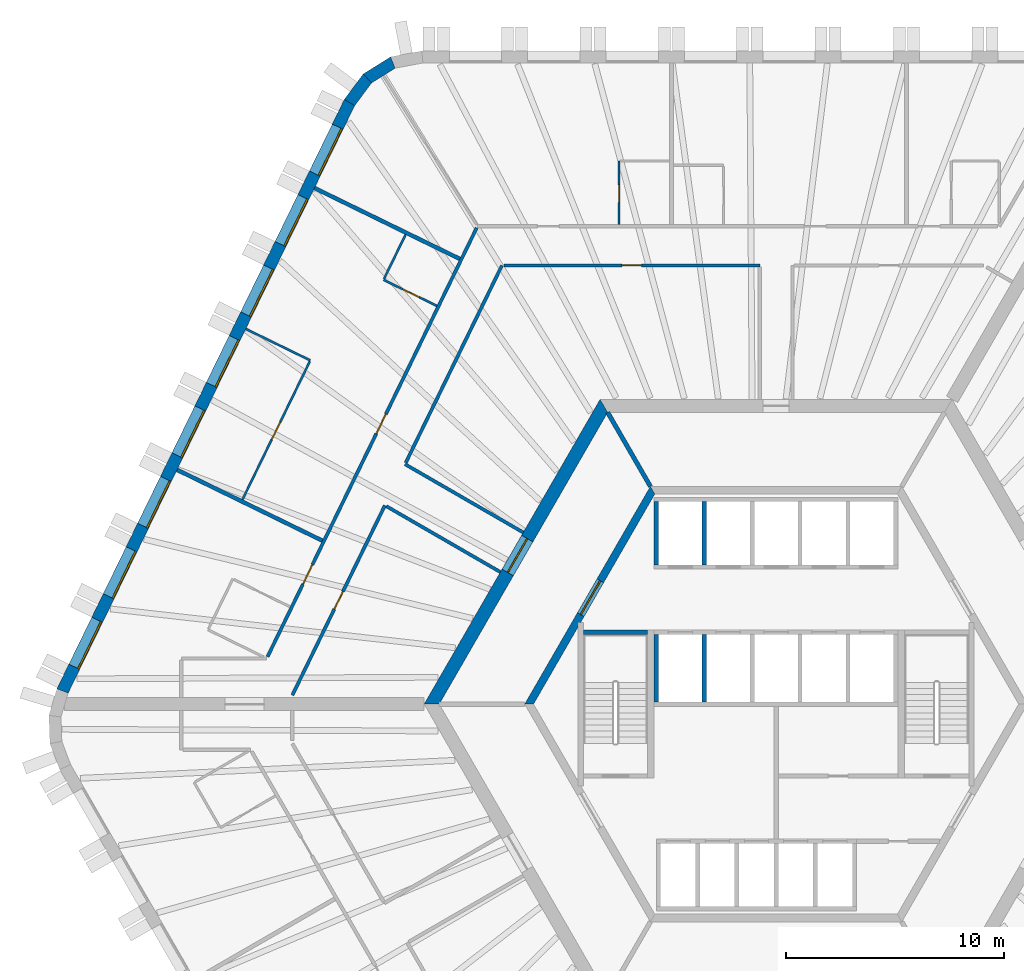
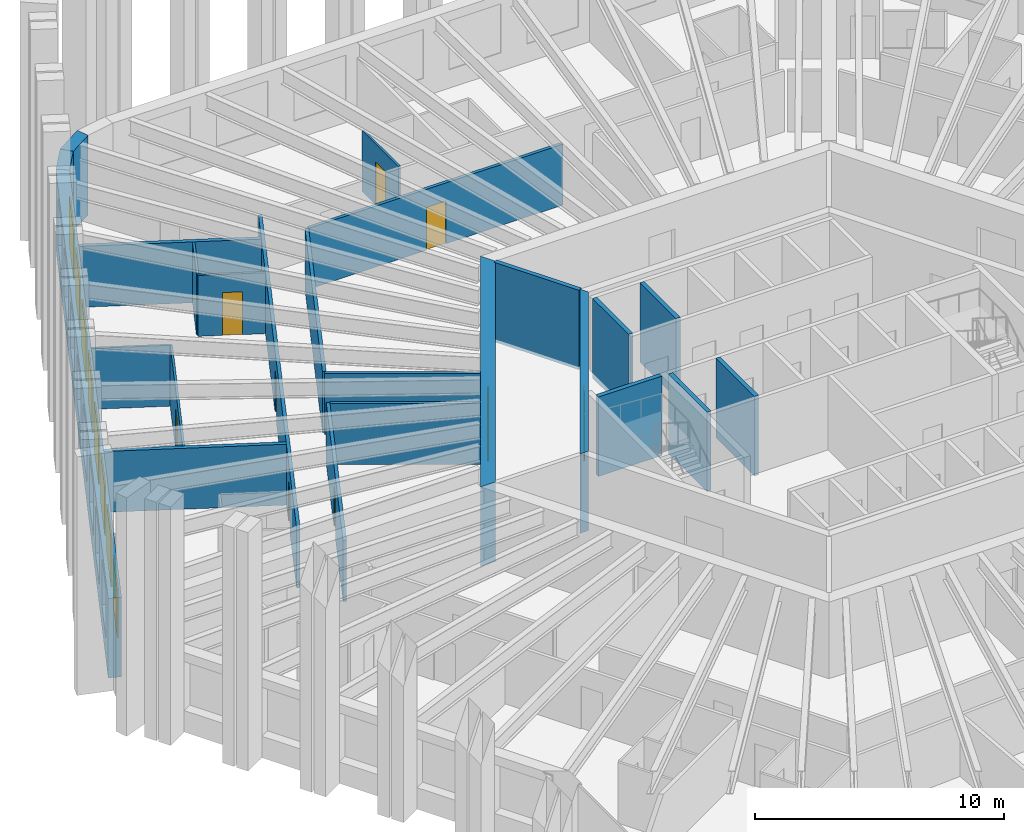
# One storey, part 7 of 12: 24 walls, 9 doors, 8 windows, 17 openings.
"""IFC4 building model written with IfcOpenShell, lengths in metres."""

from ifc_helpers import new_model, si_unit, direction, frame, frame_2d, origin, place, context, subcontext, project, spatial, polyline, rectangle, outline, extrude, material, layer, layer_set, type_object, element, fill, save


model = new_model("IFC4")

# Units and contexts
model_context = context("Model", 3, precision=1e-05, world=origin(), true_north=direction((0.0, 1.0)))
body_context = subcontext(model_context, "Body", "Model", "MODEL_VIEW")
ifc_project = project(units=[si_unit("LENGTHUNIT", "METRE"), si_unit("AREAUNIT", "SQUARE_METRE"), si_unit("VOLUMEUNIT", "CUBIC_METRE"), si_unit("PLANEANGLEUNIT", "RADIAN"), si_unit("MASSUNIT", "GRAM", prefix="KILO")], contexts=[model_context])

# Site, building, storey
site_placement = place(None, origin())
site = spatial("IfcSite", under=ifc_project, at=site_placement, CompositionType="ELEMENT")
building_placement = place(site_placement, origin())
building = spatial("IfcBuilding", under=site, at=building_placement, Name="Tarnside Tower", CompositionType="ELEMENT")
storey_placement = place(building_placement, frame((0.0, 0.0, 37.5)))
storey = spatial("IfcBuildingStorey", under=building, at=storey_placement, Name="L06", CompositionType="ELEMENT", Elevation=37.5)

# Wall, opening, door
ifc_material_1 = material(Name="Gypsum board partition on steel studs", Category="steel")
ifc_layer_1 = layer(ifc_material_1, 0.10009765625)
ifc_layer_set_1 = layer_set([ifc_layer_1], Name="Bathroom wall 100")
wall_type_1 = type_object("IfcWallType", Name="Bathroom wall 100", PredefinedType="PARTITIONING", material=ifc_layer_set_1)
wall_1_placement = place(storey_placement, frame((-7.2109375, 22.02490234375, 0.0), z_axis=(0.0, 0.0, 1.0), x_axis=(0.0, 1.0, 0.0)))
wall_1 = element("IfcWall", 1, at=wall_1_placement, inside=storey, type_object=wall_type_1, Name="Bathroom wall 01086", PredefinedType="PARTITIONING", context=body_context, shape_type="SweptSolid", body=[
    extrude(rectangle(XDim=2.925048828125, YDim=0.10009765625, at=frame_2d((1.46240234375, 0.0))), origin(), (0.0, 0.0, 1.0), 2.98779296875),
])
opening_1_placement = place(wall_1_placement, frame((1.02490234375, 0.0, 0.0)))
opening_1 = element("IfcOpeningElement", 2, at=opening_1_placement, cuts=wall_1, Name="Opening D-B1", PredefinedType="OPENING", context=body_context, shape_type="SweptSolid", body=[
    extrude(rectangle(XDim=0.800048828125, YDim=2.10009765625, at=frame_2d((0.39990234375, 1.050048828125))), frame((0.0, 0.06005859375, 0.0), z_axis=(0.0, -1.0, 0.0), x_axis=(1.0, 0.0, 0.0)), (0.0, 0.0, 1.0), 0.1201171875),
])
ifc_material_2 = material(Name="Timber door leaf", Category="wood")
door_type_1 = type_object("IfcDoorType", Name="Bathroom door 800", OperationType="NOTDEFINED", PredefinedType="DOOR", material=ifc_material_2)
door_1_placement = place(opening_1_placement, origin())
door_1 = element("IfcDoor", 3, at=door_1_placement, inside=storey, type_object=door_type_1, Name="Bathroom door 01006", OperationType="SINGLE_SWING_RIGHT", OverallHeight=2.10009765625, OverallWidth=0.800048828125, PredefinedType="DOOR", context=body_context, shape_type="SweptSolid", body=[
    extrude(rectangle(XDim=0.800048828125, YDim=2.10009765625, at=frame_2d((0.39990234375, 1.050048828125))), frame((0.0, 0.02490234375, 0.0), z_axis=(0.0, -1.0, 0.0), x_axis=(1.0, 0.0, 0.0)), (0.0, 0.0, 1.0), 0.050048828125),
])
fill(opening_1, door_1)

wall_2_placement = place(storey_placement, frame((-15.582763671875, 18.29345703125, 0.0), z_axis=(0.0, 0.0, 1.0), x_axis=(-0.898791692788, 0.43837597217, 0.0)))
wall_2 = element("IfcWall", 4, at=wall_2_placement, inside=storey, type_object=wall_type_1, Name="Bathroom wall 01091", PredefinedType="PARTITIONING", context=body_context, shape_type="SweptSolid", body=[
    extrude(rectangle(XDim=2.72509765625, YDim=0.10009765625, at=frame_2d((1.362548828125, 0.0))), origin(), (0.0, 0.0, 1.0), 2.98779296875),
])
opening_2_placement = place(wall_2_placement, frame((0.925048828125, 0.0, 0.0)))
opening_2 = element("IfcOpeningElement", 5, at=opening_2_placement, cuts=wall_2, Name="Opening D-B1", PredefinedType="OPENING", context=body_context, shape_type="SweptSolid", body=[
    extrude(rectangle(XDim=0.800048828125, YDim=2.10009765625, at=frame_2d((0.39990234375, 1.050048828125))), frame((0.0, 0.06005859375, 0.0), z_axis=(0.0, -1.0, 0.0), x_axis=(1.0, 0.0, 0.0)), (0.0, 0.0, 1.0), 0.1201171875),
])
door_2_placement = place(opening_2_placement, origin())
door_2 = element("IfcDoor", 6, at=door_2_placement, inside=storey, type_object=door_type_1, Name="Bathroom door 01009", OperationType="SINGLE_SWING_RIGHT", OverallHeight=2.10009765625, OverallWidth=0.800048828125, PredefinedType="DOOR", context=body_context, shape_type="SweptSolid", body=[
    extrude(rectangle(XDim=0.800048828125, YDim=2.10009765625, at=frame_2d((0.39990234375, 1.050048828125))), frame((0.0, 0.02490234375, 0.0), z_axis=(0.0, -1.0, 0.0), x_axis=(1.0, 0.0, 0.0)), (0.0, 0.0, 1.0), 0.050048828125),
])
fill(opening_2, door_2)

# Wall
wall_3_placement = place(storey_placement, frame((-18.010009765625, 19.532958984375, 0.0), z_axis=(0.0, 0.0, 1.0), x_axis=(0.438376807268, 0.898791285477, 0.0)))
element("IfcWall", 7, at=wall_3_placement, inside=storey, type_object=wall_type_1, Name="Bathroom wall 01092", PredefinedType="PARTITIONING", context=body_context, shape_type="SweptSolid", body=[
    extrude(rectangle(XDim=2.260009765625, YDim=0.10009765625, at=frame_2d((1.1298828125, 0.0))), origin(), (0.0, 0.0, 1.0), 2.98779296875),
])

# Wall, opening, door
ifc_material_3 = material(Name="Concrete C50/60", Category="concrete")
ifc_layer_2 = layer(ifc_material_3, 0.35009765625)
ifc_layer_set_2 = layer_set([ifc_layer_2], Name="Core block wall 350 C50/60")
wall_type_2 = type_object("IfcWallType", Name="Core block wall 350 C50/60", PredefinedType="SHEAR", material=ifc_layer_set_2)
wall_4_placement = place(storey_placement, frame((-5.672607421875, 9.824951171875, -0.14990234375), z_axis=(0.0, 0.0, 1.0), x_axis=(-0.499995046907, -0.866028263435, 0.0)))
wall_4 = element("IfcWall", 8, at=wall_4_placement, inside=storey, type_object=wall_type_2, Name="L06 core block wall face 2", PredefinedType="SHEAR", context=body_context, shape_type="SweptSolid", body=[
    extrude(outline(polyline([(-0.10107421875, -0.175048828125), (11.44580078125, -0.175048828125), (11.24365234375, 0.175048828125), (0.10107421875, 0.175048828125), (-0.10107421875, -0.175048828125)])), origin(), (0.0, 0.0, 1.0), 3.89990234375),
])
opening_3_placement = place(wall_4_placement, frame((4.80126953125, 0.0, 0.14990234375)))
opening_3 = element("IfcOpeningElement", 9, at=opening_3_placement, cuts=wall_4, Name="Opening CD-LOB", PredefinedType="OPENING", context=body_context, shape_type="SweptSolid", body=[
    extrude(rectangle(XDim=1.800048828125, YDim=2.39990234375, at=frame_2d((0.89990234375, 1.199951171875))), frame((0.0, 0.18505859375, 0.0), z_axis=(0.0, -1.0, 0.0), x_axis=(1.0, 0.0, 0.0)), (0.0, 0.0, 1.0), 0.3701171875),
])
ifc_material_4 = material(Name="Steel fire door", Category="steel")
door_type_2 = type_object("IfcDoorType", Name="Lobby double door FD30S 1800x2400", OperationType="NOTDEFINED", PredefinedType="DOOR", material=ifc_material_4)
door_3_placement = place(opening_3_placement, origin())
door_3 = element("IfcDoor", 10, at=door_3_placement, inside=storey, type_object=door_type_2, Name="L06 lobby block door P1", OperationType="DOUBLE_DOOR_SINGLE_SWING", OverallHeight=2.39990234375, OverallWidth=1.800048828125, PredefinedType="DOOR", context=body_context, shape_type="SweptSolid", body=[
    extrude(rectangle(XDim=1.800048828125, YDim=2.39990234375, at=frame_2d((0.89990234375, 1.199951171875))), frame((0.0, 0.02490234375, 0.0), z_axis=(0.0, -1.0, 0.0), x_axis=(1.0, 0.0, 0.0)), (0.0, 0.0, 1.0), 0.050048828125),
])
fill(opening_3, door_3)

ifc_material_5 = material(Name="Concrete C80/95", Category="concrete")
ifc_layer_3 = layer(ifc_material_5, 0.60009765625)
ifc_layer_set_3 = layer_set([ifc_layer_3], Name="Core wall Z1 600 C80/95")
wall_type_3 = type_object("IfcWallType", Name="Core wall Z1 600 C80/95", PredefinedType="SHEAR", material=ifc_layer_set_3)
wall_5_placement = place(storey_placement, frame((-7.90966796875, 13.699951171875, -0.14990234375), z_axis=(0.0, 0.0, 1.0), x_axis=(-0.499999880136, -0.866025472988, 0.0)))
wall_5 = element("IfcWall", 11, at=wall_5_placement, inside=storey, type_object=wall_type_3, Name="L06 core wall face 2", PredefinedType="SHEAR", context=body_context, shape_type="SweptSolid", body=[
    extrude(outline(polyline([(-0.17333984375, -0.300048828125), (15.99267578125, -0.300048828125), (15.64599609375, 0.300048828125), (0.17333984375, 0.300048828125), (-0.17333984375, -0.300048828125)])), origin(), (0.0, 0.0, 1.0), 3.89990234375),
])
opening_4_placement = place(wall_5_placement, frame((7.03857421875, 0.0, 0.14990234375)))
opening_4 = element("IfcOpeningElement", 12, at=opening_4_placement, cuts=wall_5, Name="Opening CD-LOB", PredefinedType="OPENING", context=body_context, shape_type="SweptSolid", body=[
    extrude(rectangle(XDim=1.800048828125, YDim=2.39990234375, at=frame_2d((0.89990234375, 1.199951171875))), frame((0.0, 0.31005859375, 0.0), z_axis=(0.0, -1.0, 0.0), x_axis=(1.0, 0.0, 0.0)), (0.0, 0.0, 1.0), 0.6201171875),
])
door_4_placement = place(opening_4_placement, origin())
door_4 = element("IfcDoor", 13, at=door_4_placement, inside=storey, type_object=door_type_2, Name="L06 core door P1", OperationType="DOUBLE_DOOR_SINGLE_SWING", OverallHeight=2.39990234375, OverallWidth=1.800048828125, PredefinedType="DOOR", context=body_context, shape_type="SweptSolid", body=[
    extrude(rectangle(XDim=1.800048828125, YDim=2.39990234375, at=frame_2d((0.89990234375, 1.199951171875))), frame((0.0, 0.02490234375, 0.0), z_axis=(0.0, -1.0, 0.0), x_axis=(1.0, 0.0, 0.0)), (0.0, 0.0, 1.0), 0.050048828125),
])
fill(opening_4, door_4)

# Wall, openings, doors
ifc_layer_4 = layer(ifc_material_1, 0.14990234375)
ifc_layer_set_4 = layer_set([ifc_layer_4], Name="Corridor wall 150 EI 60")
wall_type_4 = type_object("IfcWallType", Name="Corridor wall 150 EI 60", PredefinedType="PARTITIONING", material=ifc_layer_set_4)
wall_6_placement = place(storey_placement, frame((-13.75244140625, 21.875, 0.0), z_axis=(0.0, 0.0, 1.0), x_axis=(-0.438374473378, -0.898792423806, 0.0)))
wall_6 = element("IfcWall", 14, at=wall_6_placement, inside=storey, type_object=wall_type_4, Name="Corridor wall 01009", PredefinedType="PARTITIONING", context=body_context, shape_type="SweptSolid", body=[
    extrude(rectangle(XDim=21.918212890625, YDim=0.14990234375, at=frame_2d((10.958984375, 0.0))), origin(), (0.0, 0.0, 1.0), 2.98779296875),
])
opening_5_placement = place(wall_6_placement, frame((9.521240234375, 0.0, 0.0)))
opening_5 = element("IfcOpeningElement", 15, at=opening_5_placement, cuts=wall_6, Name="Opening D-E1", PredefinedType="OPENING", context=body_context, shape_type="SweptSolid", body=[
    extrude(rectangle(XDim=1.0, YDim=2.10009765625, at=frame_2d((0.5, 1.050048828125))), frame((0.0, 0.0849609375, 0.0), z_axis=(0.0, -1.0, 0.0), x_axis=(1.0, 0.0, 0.0)), (0.0, 0.0, 1.0), 0.169921875),
])
opening_6_placement = place(wall_6_placement, frame((17.21142578125, 0.0, 0.0)))
opening_6 = element("IfcOpeningElement", 16, at=opening_6_placement, cuts=wall_6, Name="Opening D-E1", PredefinedType="OPENING", context=body_context, shape_type="SweptSolid", body=[
    extrude(rectangle(XDim=1.0, YDim=2.10009765625, at=frame_2d((0.5, 1.050048828125))), frame((0.0, 0.0849609375, 0.0), z_axis=(0.0, -1.0, 0.0), x_axis=(1.0, 0.0, 0.0)), (0.0, 0.0, 1.0), 0.169921875),
])
door_type_3 = type_object("IfcDoorType", Name="Unit entrance door 1000 FD30S", OperationType="NOTDEFINED", PredefinedType="DOOR", material=ifc_material_2)
door_5_placement = place(opening_5_placement, origin())
door_5 = element("IfcDoor", 17, at=door_5_placement, inside=storey, type_object=door_type_3, Name="Unit door 01008", OperationType="SINGLE_SWING_LEFT", OverallHeight=2.10009765625, OverallWidth=1.0, PredefinedType="DOOR", context=body_context, shape_type="SweptSolid", body=[
    extrude(rectangle(XDim=1.0, YDim=2.10009765625, at=frame_2d((0.5, 1.050048828125))), frame((0.0, 0.02490234375, 0.0), z_axis=(0.0, -1.0, 0.0), x_axis=(1.0, 0.0, 0.0)), (0.0, 0.0, 1.0), 0.050048828125),
])
fill(opening_5, door_5)
door_6_placement = place(opening_6_placement, origin())
door_6 = element("IfcDoor", 18, at=door_6_placement, inside=storey, type_object=door_type_3, Name="Unit door 01011", OperationType="SINGLE_SWING_LEFT", OverallHeight=2.10009765625, OverallWidth=1.0, PredefinedType="DOOR", context=body_context, shape_type="SweptSolid", body=[
    extrude(rectangle(XDim=1.0, YDim=2.10009765625, at=frame_2d((0.5, 1.050048828125))), frame((0.0, 0.02490234375, 0.0), z_axis=(0.0, -1.0, 0.0), x_axis=(1.0, 0.0, 0.0)), (0.0, 0.0, 1.0), 0.050048828125),
])
fill(opening_6, door_6)

# Walls
wall_7_placement = place(storey_placement, frame((-11.61376953125, 7.88427734375, 0.0), z_axis=(0.0, 0.0, 1.0), x_axis=(-0.866025438137, 0.4999999405, 0.0)))
element("IfcWall", 19, at=wall_7_placement, inside=storey, type_object=wall_type_4, Name="Corridor wall 01016", PredefinedType="PARTITIONING", context=body_context, shape_type="SweptSolid", body=[
    extrude(rectangle(XDim=6.2705078125, YDim=0.14990234375, at=frame_2d((3.13525390625, 0.0))), origin(), (0.0, 0.0, 1.0), 2.98779296875),
])
wall_8_placement = place(storey_placement, frame((-17.01123046875, 11.087158203125, 0.0), z_axis=(0.0, 0.0, 1.0), x_axis=(0.43836877185, 0.898795204631, 0.0)))
element("IfcWall", 20, at=wall_8_placement, inside=storey, type_object=wall_type_4, Name="Corridor wall 01017", PredefinedType="PARTITIONING", context=body_context, shape_type="SweptSolid", body=[
    extrude(rectangle(XDim=10.083251953125, YDim=0.14990234375, at=frame_2d((5.04150390625, 0.0))), origin(), (0.0, 0.0, 1.0), 2.98779296875),
])

# Wall, opening, door
wall_9_placement = place(storey_placement, frame((-12.507568359375, 20.14990234375, 0.0), z_axis=(0.0, 0.0, 1.0), x_axis=(1.0, 0.0, 0.0)))
wall_9 = element("IfcWall", 21, at=wall_9_placement, inside=storey, type_object=wall_type_4, Name="Corridor wall 01018", PredefinedType="PARTITIONING", context=body_context, shape_type="SweptSolid", body=[
    extrude(rectangle(XDim=11.757568359375, YDim=0.14990234375, at=frame_2d((5.87890625, 0.0))), origin(), (0.0, 0.0, 1.0), 2.98779296875),
])
opening_7_placement = place(wall_9_placement, frame((5.428955078125, 0.0, 0.0)))
opening_7 = element("IfcOpeningElement", 22, at=opening_7_placement, cuts=wall_9, Name="Opening D-S1", PredefinedType="OPENING", context=body_context, shape_type="SweptSolid", body=[
    extrude(rectangle(XDim=0.89990234375, YDim=2.10009765625, at=frame_2d((0.449951171875, 1.050048828125))), frame((0.0, 0.0849609375, 0.0), z_axis=(0.0, -1.0, 0.0), x_axis=(1.0, 0.0, 0.0)), (0.0, 0.0, 1.0), 0.169921875),
])
door_type_4 = type_object("IfcDoorType", Name="Service room door 900 FD30S", OperationType="NOTDEFINED", PredefinedType="DOOR", material=ifc_material_2)
door_7_placement = place(opening_7_placement, origin())
door_7 = element("IfcDoor", 23, at=door_7_placement, inside=storey, type_object=door_type_4, Name="Service door 01042", OperationType="SINGLE_SWING_RIGHT", OverallHeight=2.10009765625, OverallWidth=0.89990234375, PredefinedType="DOOR", context=body_context, shape_type="SweptSolid", body=[
    extrude(rectangle(XDim=0.89990234375, YDim=2.10009765625, at=frame_2d((0.449951171875, 1.050048828125))), frame((0.0, 0.02490234375, 0.0), z_axis=(0.0, -1.0, 0.0), x_axis=(1.0, 0.0, 0.0)), (0.0, 0.0, 1.0), 0.050048828125),
])
fill(opening_7, door_7)

wall_10_placement = place(storey_placement, frame((-22.218994140625, 0.41015625, 0.0), z_axis=(0.0, 0.0, 1.0), x_axis=(0.438391891827, 0.898783927972, 0.0)))
wall_10 = element("IfcWall", 24, at=wall_10_placement, inside=storey, type_object=wall_type_4, Name="Corridor wall 01023", PredefinedType="PARTITIONING", context=body_context, shape_type="SweptSolid", body=[
    extrude(rectangle(XDim=9.698974609375, YDim=0.14990234375, at=frame_2d((4.849609375, 0.0))), origin(), (0.0, 0.0, 1.0), 2.98779296875),
])
opening_8_placement = place(wall_10_placement, frame((4.399658203125, 0.0, 0.0)))
opening_8 = element("IfcOpeningElement", 25, at=opening_8_placement, cuts=wall_10, Name="Opening D-S1", PredefinedType="OPENING", context=body_context, shape_type="SweptSolid", body=[
    extrude(rectangle(XDim=0.89990234375, YDim=2.10009765625, at=frame_2d((0.449951171875, 1.050048828125))), frame((0.0, 0.0849609375, 0.0), z_axis=(0.0, -1.0, 0.0), x_axis=(1.0, 0.0, 0.0)), (0.0, 0.0, 1.0), 0.169921875),
])
door_8_placement = place(opening_8_placement, origin())
door_8 = element("IfcDoor", 26, at=door_8_placement, inside=storey, type_object=door_type_4, Name="Service door 01044", OperationType="SINGLE_SWING_LEFT", OverallHeight=2.10009765625, OverallWidth=0.89990234375, PredefinedType="DOOR", context=body_context, shape_type="SweptSolid", body=[
    extrude(rectangle(XDim=0.89990234375, YDim=2.10009765625, at=frame_2d((0.449951171875, 1.050048828125))), frame((0.0, 0.02490234375, 0.0), z_axis=(0.0, -1.0, 0.0), x_axis=(1.0, 0.0, 0.0)), (0.0, 0.0, 1.0), 0.050048828125),
])
fill(opening_8, door_8)

# Walls
wall_11_placement = place(storey_placement, frame((-17.902099609375, 9.08984375, 0.0), z_axis=(0.0, 0.0, 1.0), x_axis=(0.866036368755, -0.499981007633, 0.0)))
element("IfcWall", 27, at=wall_11_placement, inside=storey, type_object=wall_type_4, Name="Corridor wall 01024", PredefinedType="PARTITIONING", context=body_context, shape_type="SweptSolid", body=[
    extrude(rectangle(XDim=6.048583984375, YDim=0.14990234375, at=frame_2d((3.0244140625, 0.0))), origin(), (0.0, 0.0, 1.0), 2.98779296875),
])
ifc_layer_5 = layer(ifc_material_1, 0.179931640625)
ifc_layer_set_5 = layer_set([ifc_layer_5], Name="Demising wall 180 EI 60")
wall_type_5 = type_object("IfcWallType", Name="Demising wall 180 EI 60", PredefinedType="PARTITIONING", material=ifc_layer_set_5)
wall_12_placement = place(storey_placement, frame((-21.2041015625, 23.70556640625, 0.0), z_axis=(0.0, 0.0, 1.0), x_axis=(0.898796252669, -0.438366623032, 0.0)))
element("IfcWall", 28, at=wall_12_placement, inside=storey, type_object=wall_type_5, Name="Demising wall 01089", PredefinedType="PARTITIONING", context=body_context, shape_type="SweptSolid", body=[
    extrude(rectangle(XDim=7.425048828125, YDim=0.179931640625, at=frame_2d((3.71240234375, 0.0))), origin(), (0.0, 0.0, 1.0), 2.98779296875),
])
wall_13_placement = place(storey_placement, frame((-27.5166015625, 10.762939453125, 0.0), z_axis=(0.0, 0.0, 1.0), x_axis=(0.898789933843, -0.438379578473, 0.0)))
element("IfcWall", 29, at=wall_13_placement, inside=storey, type_object=wall_type_5, Name="Demising wall 01095", PredefinedType="PARTITIONING", context=body_context, shape_type="SweptSolid", body=[
    extrude(rectangle(XDim=7.4248046875, YDim=0.179931640625, at=frame_2d((3.71240234375, 0.0))), origin(), (0.0, 0.0, 1.0), 2.98779296875),
])
ifc_material_6 = material(Name="Concrete C40/50", Category="concrete")
ifc_layer_6 = layer(ifc_material_6, 0.199951171875)
ifc_layer_set_6 = layer_set([ifc_layer_6], Name="Lift shaft wall 200 C40/50")
wall_type_6 = type_object("IfcWallType", Name="Lift shaft wall 200 C40/50", PredefinedType="SHEAR", material=ifc_layer_set_6)
for number, where, z_axis, x_axis, name in (
    (30, (-5.5, 6.39990234375, -0.25), (0.0, 0.0, 1.0), (0.0, 1.0, 0.0), "L06 lift shaft partition R11"),
    (31, (-3.300048828125, 6.39990234375, -0.25), (0.0, 0.0, 1.0), (0.0, 1.0, 0.0), "L06 lift shaft partition R12"),
):
    element("IfcWall", number, at=place(storey_placement, frame(where, z_axis=z_axis, x_axis=x_axis)), inside=storey, type_object=wall_type_6, Name=name, PredefinedType="SHEAR", context=body_context, shape_type="SweptSolid", body=[
        extrude(rectangle(XDim=2.900146484375, YDim=0.199951171875, at=frame_2d((1.4501953125, 0.0))), origin(), (0.0, 0.0, 1.0), 3.89990234375),
    ])
for number, where, z_axis, x_axis, name in (
    (32, (-5.5, 0.10009765625, -0.25), (0.0, 0.0, 1.0), (0.0, 1.0, 0.0), "L06 lift shaft partition R21"),
    (33, (-3.300048828125, 0.10009765625, -0.25), (0.0, 0.0, 1.0), (0.0, 1.0, 0.0), "L06 lift shaft partition R22"),
):
    element("IfcWall", number, at=place(storey_placement, frame(where, z_axis=z_axis, x_axis=x_axis)), inside=storey, type_object=wall_type_6, Name=name, PredefinedType="SHEAR", context=body_context, shape_type="SweptSolid", body=[
        extrude(rectangle(XDim=3.099853515625, YDim=0.199951171875, at=frame_2d((1.5498046875, 0.0))), origin(), (0.0, 0.0, 1.0), 3.89990234375),
    ])
wall_14_placement = place(storey_placement, frame((-5.7734375, 10.0, -0.14990234375), z_axis=(0.0, 0.0, 1.0), x_axis=(-0.500038251005, 0.86600331843, 0.0)))
element("IfcWall", 34, at=wall_14_placement, inside=storey, type_object=wall_type_6, Name="L06 core partition AR120", PredefinedType="SHEAR", context=body_context, shape_type="SweptSolid", body=[
    extrude(rectangle(XDim=3.926025390625, YDim=0.199951171875, at=frame_2d((1.962890625, 0.0))), origin(), (0.0, 0.0, 1.0), 3.89990234375),
])
wall_15_placement = place(storey_placement, frame((-8.85009765625, 3.300048828125, -0.25), z_axis=(0.0, 0.0, 1.0), x_axis=(1.0, 0.0, 0.0)))
element("IfcWall", 35, at=wall_15_placement, inside=storey, type_object=wall_type_6, Name="L06 stair 2 enclosure cap wall n", PredefinedType="SHEAR", context=body_context, shape_type="SweptSolid", body=[
    extrude(rectangle(XDim=2.9501953125, YDim=0.199951171875, at=frame_2d((1.47509765625, 0.0))), origin(), (0.0, 0.0, 1.0), 3.89990234375),
])
ifc_layer_7 = layer(ifc_material_1, 0.10009765625)
ifc_layer_set_7 = layer_set([ifc_layer_7], Name="Partition 100")
wall_type_7 = type_object("IfcWallType", Name="Partition 100", PredefinedType="PARTITIONING", material=ifc_layer_set_7)
wall_16_placement = place(storey_placement, frame((-24.3603515625, 17.234130859375, 0.0), z_axis=(0.0, 0.0, 1.0), x_axis=(0.898793331681, -0.43837261197, 0.0)))
element("IfcWall", 36, at=wall_16_placement, inside=storey, type_object=wall_type_7, Name="Partition wall 01093", PredefinedType="PARTITIONING", context=body_context, shape_type="SweptSolid", body=[
    extrude(rectangle(XDim=3.2998046875, YDim=0.10009765625, at=frame_2d((1.64990234375, 0.0))), origin(), (0.0, 0.0, 1.0), 2.98779296875),
])

# Wall, opening, door
wall_17_placement = place(storey_placement, frame((-21.416259765625, 15.74267578125, 0.0), z_axis=(0.0, 0.0, 1.0), x_axis=(-0.438380708798, -0.898789382533, 0.0)))
wall_17 = element("IfcWall", 37, at=wall_17_placement, inside=storey, type_object=wall_type_7, Name="Partition wall 01094", PredefinedType="PARTITIONING", context=body_context, shape_type="SweptSolid", body=[
    extrude(rectangle(XDim=7.06005859375, YDim=0.10009765625, at=frame_2d((3.530029296875, 0.0))), origin(), (0.0, 0.0, 1.0), 2.98779296875),
])
opening_9_placement = place(wall_17_placement, frame((3.10009765625, 0.0, 0.0)))
opening_9 = element("IfcOpeningElement", 38, at=opening_9_placement, cuts=wall_17, Name="Opening D-I1", PredefinedType="OPENING", context=body_context, shape_type="SweptSolid", body=[
    extrude(rectangle(XDim=0.89990234375, YDim=2.10009765625, at=frame_2d((0.449951171875, 1.050048828125))), frame((0.0, 0.06005859375, 0.0), z_axis=(0.0, -1.0, 0.0), x_axis=(1.0, 0.0, 0.0)), (0.0, 0.0, 1.0), 0.1201171875),
])
door_type_5 = type_object("IfcDoorType", Name="Internal door 900", OperationType="NOTDEFINED", PredefinedType="DOOR", material=ifc_material_2)
door_9_placement = place(opening_9_placement, origin())
door_9 = element("IfcDoor", 39, at=door_9_placement, inside=storey, type_object=door_type_5, Name="Internal door 01010", OperationType="SINGLE_SWING_LEFT", OverallHeight=2.10009765625, OverallWidth=0.89990234375, PredefinedType="DOOR", context=body_context, shape_type="SweptSolid", body=[
    extrude(rectangle(XDim=0.89990234375, YDim=2.10009765625, at=frame_2d((0.449951171875, 1.050048828125))), frame((0.0, 0.02490234375, 0.0), z_axis=(0.0, -1.0, 0.0), x_axis=(1.0, 0.0, 0.0)), (0.0, 0.0, 1.0), 0.050048828125),
])
fill(opening_9, door_9)

# Walls
ifc_material_7 = material(Name="Facing brick", Category="masonry")
ifc_layer_8 = layer(ifc_material_7, 0.10205078125)
ifc_material_8 = material(Name="Concrete C60/75 precast", Category="concrete")
ifc_layer_9 = layer(ifc_material_8, 0.347900390625)
ifc_material_9 = material(Name="Mineral wool insulation")
ifc_layer_10 = layer(ifc_material_9, 0.10009765625)
ifc_layer_set_8 = layer_set([ifc_layer_8, ifc_layer_9, ifc_layer_10], Name="Tube wall 550 brick faced")
wall_type_8 = type_object("IfcWallType", Name="Tube wall 550 brick faced", PredefinedType="SOLIDWALL", material=ifc_layer_set_8)
wall_18_placement = place(storey_placement, frame((-17.601806640625, 29.4697265625, -0.14990234375), z_axis=(0.0, 0.0, 1.0), x_axis=(-0.848057977594, -0.5299034503, 0.0)))
element("IfcWall", 40, at=wall_18_placement, inside=storey, type_object=wall_type_8, Name="Tube wall L06 F1 chord 02", PredefinedType="SOLIDWALL", context=body_context, shape_type="SweptSolid", body=[
    extrude(outline(polyline([(-0.0517578125, -0.27490234375), (1.4306640625, -0.27490234375), (1.3271484375, 0.27490234375), (0.0517578125, 0.27490234375), (-0.0517578125, -0.27490234375)])), origin(), (0.0, 0.0, 1.0), 3.89990234375),
])
wall_19_placement = place(storey_placement, frame((-18.771240234375, 28.739013671875, -0.14990234375), z_axis=(0.0, 0.0, 1.0), x_axis=(-0.597135295884, -0.802140535324, 0.0)))
element("IfcWall", 41, at=wall_19_placement, inside=storey, type_object=wall_type_8, Name="Tube wall L06 F1 chord 03", PredefinedType="SOLIDWALL", context=body_context, shape_type="SweptSolid", body=[
    extrude(outline(polyline([(-0.0517578125, -0.27490234375), (1.40478515625, -0.27490234375), (1.353515625, 0.27490234375), (0.0517578125, 0.27490234375), (-0.0517578125, -0.27490234375)])), origin(), (0.0, 0.0, 1.0), 3.89990234375),
])

# Wall, openings, windows
wall_20_placement = place(storey_placement, frame((-19.5947265625, 27.6328125, -0.14990234375), z_axis=(0.0, 0.0, 1.0), x_axis=(-0.438368285794, -0.898795441694, 0.0)))
wall_20 = element("IfcWall", 42, at=wall_20_placement, inside=storey, type_object=wall_type_8, Name="Tube wall L06 F2 flush 04", PredefinedType="SOLIDWALL", context=body_context, shape_type="SweptSolid", body=[
    extrude(outline(polyline([(-0.025634765625, -0.27490234375), (30.09326171875, -0.27490234375), (30.04833984375, 0.27490234375), (0.025634765625, 0.27490234375), (-0.025634765625, -0.27490234375)])), origin(), (0.0, 0.0, 1.0), 3.89990234375),
])
opening_10_placement = place(wall_20_placement, frame((1.235595703125, 0.0, 1.050048828125)))
opening_10 = element("IfcOpeningElement", 43, at=opening_10_placement, cuts=wall_20, Name="Opening WH", PredefinedType="OPENING", context=body_context, shape_type="SweptSolid", body=[
    extrude(rectangle(XDim=2.39990234375, YDim=2.39990234375, at=frame_2d((1.199951171875, 1.199951171875))), frame((0.0, 0.28515625, 0.0), z_axis=(0.0, -1.0, 0.0), x_axis=(1.0, 0.0, 0.0)), (0.0, 0.0, 1.0), 0.570068359375),
])
opening_11_placement = place(wall_20_placement, frame((4.83544921875, 0.0, 1.050048828125)))
opening_11 = element("IfcOpeningElement", 44, at=opening_11_placement, cuts=wall_20, Name="Opening WH", PredefinedType="OPENING", context=body_context, shape_type="SweptSolid", body=[
    extrude(rectangle(XDim=2.39990234375, YDim=2.39990234375, at=frame_2d((1.199951171875, 1.199951171875))), frame((0.0, 0.28515625, 0.0), z_axis=(0.0, -1.0, 0.0), x_axis=(1.0, 0.0, 0.0)), (0.0, 0.0, 1.0), 0.570068359375),
])
opening_12_placement = place(wall_20_placement, frame((8.435546875, 0.0, 1.050048828125)))
opening_12 = element("IfcOpeningElement", 45, at=opening_12_placement, cuts=wall_20, Name="Opening WH", PredefinedType="OPENING", context=body_context, shape_type="SweptSolid", body=[
    extrude(rectangle(XDim=2.39990234375, YDim=2.39990234375, at=frame_2d((1.199951171875, 1.199951171875))), frame((0.0, 0.28515625, 0.0), z_axis=(0.0, -1.0, 0.0), x_axis=(1.0, 0.0, 0.0)), (0.0, 0.0, 1.0), 0.570068359375),
])
opening_13_placement = place(wall_20_placement, frame((12.035400390625, 0.0, 1.050048828125)))
opening_13 = element("IfcOpeningElement", 46, at=opening_13_placement, cuts=wall_20, Name="Opening WH", PredefinedType="OPENING", context=body_context, shape_type="SweptSolid", body=[
    extrude(rectangle(XDim=2.39990234375, YDim=2.39990234375, at=frame_2d((1.199951171875, 1.199951171875))), frame((0.0, 0.28515625, 0.0), z_axis=(0.0, -1.0, 0.0), x_axis=(1.0, 0.0, 0.0)), (0.0, 0.0, 1.0), 0.570068359375),
])
opening_14_placement = place(wall_20_placement, frame((15.635498046875, 0.0, 1.050048828125)))
opening_14 = element("IfcOpeningElement", 47, at=opening_14_placement, cuts=wall_20, Name="Opening WH", PredefinedType="OPENING", context=body_context, shape_type="SweptSolid", body=[
    extrude(rectangle(XDim=2.39990234375, YDim=2.39990234375, at=frame_2d((1.199951171875, 1.199951171875))), frame((0.0, 0.28515625, 0.0), z_axis=(0.0, -1.0, 0.0), x_axis=(1.0, 0.0, 0.0)), (0.0, 0.0, 1.0), 0.570068359375),
])
opening_15_placement = place(wall_20_placement, frame((19.235595703125, 0.0, 1.050048828125)))
opening_15 = element("IfcOpeningElement", 48, at=opening_15_placement, cuts=wall_20, Name="Opening WH", PredefinedType="OPENING", context=body_context, shape_type="SweptSolid", body=[
    extrude(rectangle(XDim=2.39990234375, YDim=2.39990234375, at=frame_2d((1.199951171875, 1.199951171875))), frame((0.0, 0.28515625, 0.0), z_axis=(0.0, -1.0, 0.0), x_axis=(1.0, 0.0, 0.0)), (0.0, 0.0, 1.0), 0.570068359375),
])
opening_16_placement = place(wall_20_placement, frame((22.83544921875, 0.0, 1.050048828125)))
opening_16 = element("IfcOpeningElement", 49, at=opening_16_placement, cuts=wall_20, Name="Opening WH", PredefinedType="OPENING", context=body_context, shape_type="SweptSolid", body=[
    extrude(rectangle(XDim=2.39990234375, YDim=2.39990234375, at=frame_2d((1.199951171875, 1.199951171875))), frame((0.0, 0.28515625, 0.0), z_axis=(0.0, -1.0, 0.0), x_axis=(1.0, 0.0, 0.0)), (0.0, 0.0, 1.0), 0.570068359375),
])
opening_17_placement = place(wall_20_placement, frame((26.435546875, 0.0, 1.050048828125)))
opening_17 = element("IfcOpeningElement", 50, at=opening_17_placement, cuts=wall_20, Name="Opening WH", PredefinedType="OPENING", context=body_context, shape_type="SweptSolid", body=[
    extrude(rectangle(XDim=2.39990234375, YDim=2.39990234375, at=frame_2d((1.199951171875, 1.199951171875))), frame((0.0, 0.28515625, 0.0), z_axis=(0.0, -1.0, 0.0), x_axis=(1.0, 0.0, 0.0)), (0.0, 0.0, 1.0), 0.570068359375),
])
ifc_material_10 = material(Name="Aluminium-framed double glazing", Category="aluminium")
window_type = type_object("IfcWindowType", Name="Hotel window 2400 x 2400", PartitioningType="DOUBLE_PANEL_VERTICAL", PredefinedType="WINDOW", material=ifc_material_10)
window_1_placement = place(opening_10_placement, frame((0.0, 0.205078125, 0.0)))
window_1 = element("IfcWindow", 51, at=window_1_placement, inside=storey, type_object=window_type, Name="E.WN.L06.F2.00", OverallHeight=2.39990234375, OverallWidth=2.39990234375, PartitioningType="DOUBLE_PANEL_VERTICAL", PredefinedType="WINDOW", context=body_context, shape_type="SweptSolid", body=[
    extrude(rectangle(XDim=2.39990234375, YDim=2.39990234375, at=frame_2d((1.199951171875, 1.199951171875))), frame((0.0, 0.030029296875, 0.0), z_axis=(0.0, -1.0, 0.0), x_axis=(1.0, 0.0, 0.0)), (0.0, 0.0, 1.0), 0.06005859375),
])
fill(opening_10, window_1)
window_2_placement = place(opening_11_placement, frame((0.0, 0.205078125, 0.0)))
window_2 = element("IfcWindow", 52, at=window_2_placement, inside=storey, type_object=window_type, Name="E.WN.L06.F2.01", OverallHeight=2.39990234375, OverallWidth=2.39990234375, PartitioningType="DOUBLE_PANEL_VERTICAL", PredefinedType="WINDOW", context=body_context, shape_type="SweptSolid", body=[
    extrude(rectangle(XDim=2.39990234375, YDim=2.39990234375, at=frame_2d((1.199951171875, 1.199951171875))), frame((0.0, 0.030029296875, 0.0), z_axis=(0.0, -1.0, 0.0), x_axis=(1.0, 0.0, 0.0)), (0.0, 0.0, 1.0), 0.06005859375),
])
fill(opening_11, window_2)
window_3_placement = place(opening_12_placement, frame((0.0, 0.205078125, 0.0)))
window_3 = element("IfcWindow", 53, at=window_3_placement, inside=storey, type_object=window_type, Name="E.WN.L06.F2.02", OverallHeight=2.39990234375, OverallWidth=2.39990234375, PartitioningType="DOUBLE_PANEL_VERTICAL", PredefinedType="WINDOW", context=body_context, shape_type="SweptSolid", body=[
    extrude(rectangle(XDim=2.39990234375, YDim=2.39990234375, at=frame_2d((1.199951171875, 1.199951171875))), frame((0.0, 0.030029296875, 0.0), z_axis=(0.0, -1.0, 0.0), x_axis=(1.0, 0.0, 0.0)), (0.0, 0.0, 1.0), 0.06005859375),
])
fill(opening_12, window_3)
window_4_placement = place(opening_13_placement, frame((0.0, 0.205078125, 0.0)))
window_4 = element("IfcWindow", 54, at=window_4_placement, inside=storey, type_object=window_type, Name="E.WN.L06.F2.03", OverallHeight=2.39990234375, OverallWidth=2.39990234375, PartitioningType="DOUBLE_PANEL_VERTICAL", PredefinedType="WINDOW", context=body_context, shape_type="SweptSolid", body=[
    extrude(rectangle(XDim=2.39990234375, YDim=2.39990234375, at=frame_2d((1.199951171875, 1.199951171875))), frame((0.0, 0.030029296875, 0.0), z_axis=(0.0, -1.0, 0.0), x_axis=(1.0, 0.0, 0.0)), (0.0, 0.0, 1.0), 0.06005859375),
])
fill(opening_13, window_4)
window_5_placement = place(opening_14_placement, frame((0.0, 0.205078125, 0.0)))
window_5 = element("IfcWindow", 55, at=window_5_placement, inside=storey, type_object=window_type, Name="E.WN.L06.F2.04", OverallHeight=2.39990234375, OverallWidth=2.39990234375, PartitioningType="DOUBLE_PANEL_VERTICAL", PredefinedType="WINDOW", context=body_context, shape_type="SweptSolid", body=[
    extrude(rectangle(XDim=2.39990234375, YDim=2.39990234375, at=frame_2d((1.199951171875, 1.199951171875))), frame((0.0, 0.030029296875, 0.0), z_axis=(0.0, -1.0, 0.0), x_axis=(1.0, 0.0, 0.0)), (0.0, 0.0, 1.0), 0.06005859375),
])
fill(opening_14, window_5)
window_6_placement = place(opening_15_placement, frame((0.0, 0.205078125, 0.0)))
window_6 = element("IfcWindow", 56, at=window_6_placement, inside=storey, type_object=window_type, Name="E.WN.L06.F2.05", OverallHeight=2.39990234375, OverallWidth=2.39990234375, PartitioningType="DOUBLE_PANEL_VERTICAL", PredefinedType="WINDOW", context=body_context, shape_type="SweptSolid", body=[
    extrude(rectangle(XDim=2.39990234375, YDim=2.39990234375, at=frame_2d((1.199951171875, 1.199951171875))), frame((0.0, 0.030029296875, 0.0), z_axis=(0.0, -1.0, 0.0), x_axis=(1.0, 0.0, 0.0)), (0.0, 0.0, 1.0), 0.06005859375),
])
fill(opening_15, window_6)
window_7_placement = place(opening_16_placement, frame((0.0, 0.205078125, 0.0)))
window_7 = element("IfcWindow", 57, at=window_7_placement, inside=storey, type_object=window_type, Name="E.WN.L06.F2.06", OverallHeight=2.39990234375, OverallWidth=2.39990234375, PartitioningType="DOUBLE_PANEL_VERTICAL", PredefinedType="WINDOW", context=body_context, shape_type="SweptSolid", body=[
    extrude(rectangle(XDim=2.39990234375, YDim=2.39990234375, at=frame_2d((1.199951171875, 1.199951171875))), frame((0.0, 0.030029296875, 0.0), z_axis=(0.0, -1.0, 0.0), x_axis=(1.0, 0.0, 0.0)), (0.0, 0.0, 1.0), 0.06005859375),
])
fill(opening_16, window_7)
window_8_placement = place(opening_17_placement, frame((0.0, 0.205078125, 0.0)))
window_8 = element("IfcWindow", 58, at=window_8_placement, inside=storey, type_object=window_type, Name="E.WN.L06.F2.07", OverallHeight=2.39990234375, OverallWidth=2.39990234375, PartitioningType="DOUBLE_PANEL_VERTICAL", PredefinedType="WINDOW", context=body_context, shape_type="SweptSolid", body=[
    extrude(rectangle(XDim=2.39990234375, YDim=2.39990234375, at=frame_2d((1.199951171875, 1.199951171875))), frame((0.0, 0.030029296875, 0.0), z_axis=(0.0, -1.0, 0.0), x_axis=(1.0, 0.0, 0.0)), (0.0, 0.0, 1.0), 0.06005859375),
])
fill(opening_17, window_8)

save(model, "model.ifc")
